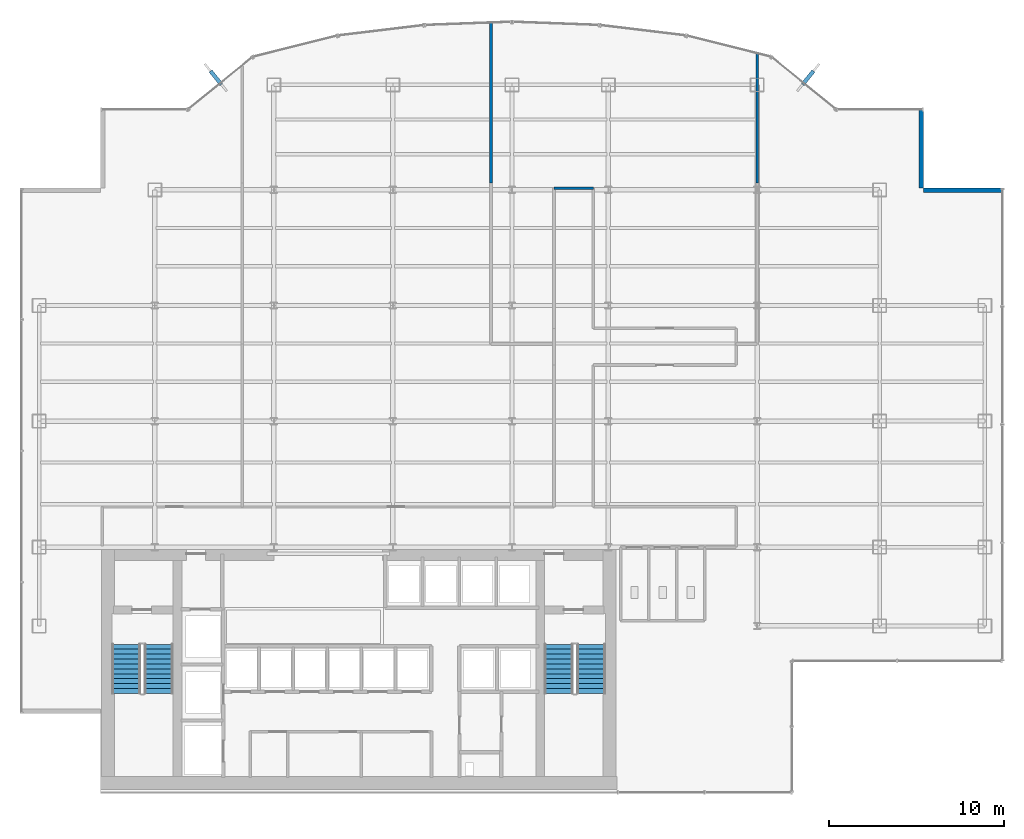
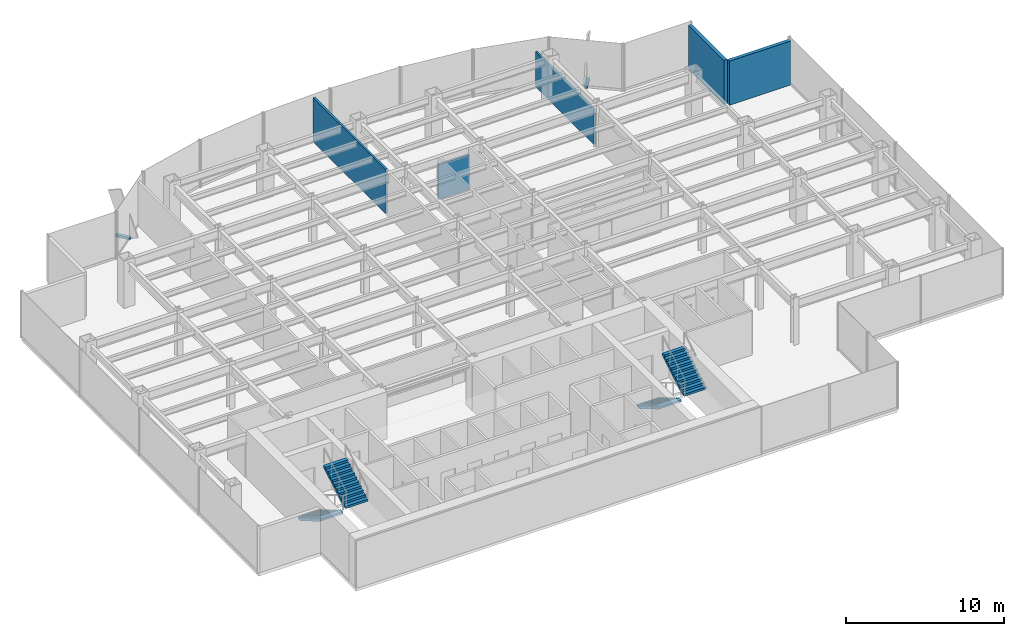
# One storey, part 23 of 26: 5 walls, 4 stair flights, 2 discrete accessories, 2 elements without a shape of their own.
"""IFC4 building model written with IfcOpenShell, lengths in metres."""

from ifc_helpers import new_model, si_unit, derived_unit, direction, frame, frame_2d, origin, origin_2d, place, context, subcontext, project, spatial, polyline, rectangle, outline, extrude, source, transform, mapped, material, layer, layer_set, type_object, element, aggregate, save


model = new_model("IFC4")

# Units and contexts
model_context = context("Model", 3, precision=1e-05, world=origin(), true_north=direction((0.0, 1.0)))
body_context = subcontext(model_context, "Body", "Model", "MODEL_VIEW")
ifc_project = project(units=[si_unit("LENGTHUNIT", "METRE"), si_unit("AREAUNIT", "SQUARE_METRE"), si_unit("VOLUMEUNIT", "CUBIC_METRE"), si_unit("PLANEANGLEUNIT", "RADIAN"), si_unit("MASSUNIT", "GRAM", prefix="KILO"), derived_unit("THERMALTRANSMITTANCEUNIT", [(si_unit("POWERUNIT", "WATT"), 1), (si_unit("LENGTHUNIT", "METRE"), -2), (si_unit("THERMODYNAMICTEMPERATUREUNIT", "KELVIN"), -1)])], contexts=[model_context])

# Site, building, storey
site_placement = place(None, origin())
site = spatial("IfcSite", under=ifc_project, at=site_placement, CompositionType="ELEMENT")
building_placement = place(site_placement, origin())
building = spatial("IfcBuilding", under=site, at=building_placement, Name="Skarnbrae Concourse Arena and Tower", CompositionType="ELEMENT")
storey_placement = place(building_placement, frame((0.0, 0.0, 99.60009765625)))
storey = spatial("IfcBuildingStorey", under=building, at=storey_placement, Name="L24", CompositionType="ELEMENT", Elevation=99.60009765625)

# Walls
ifc_material_1 = material(Name="Precast concrete 40 MPa (C40/50)", Category="concrete")
ifc_layer_1 = layer(ifc_material_1, 0.25)
ifc_layer_set_1 = layer_set([ifc_layer_1], Name="Precast concrete 40 MPa (C40/50)")
wall_type_1 = type_object("IfcWallType", Name="WALL-EXT-SPANDREL-250", PredefinedType="STANDARD", material=ifc_layer_set_1)
shared_shape_1 = source(origin(), body_context, "Body", "SweptSolid", [
    extrude(rectangle(XDim=4.5, YDim=0.25, at=frame_2d((2.25, 0.0))), origin(), (0.0, 0.0, 1.0), 3.39990234375),
])
for number, where, z_axis, x_axis, name in (
    (1, (56.0, 34.375, 0.0), (0.0, 0.0, 1.0), (-1.0, 0.0, 0.0), "L24 Notched corner insulated return wall 05"),
    (2, (51.375, 34.5, 0.0), (0.0, 0.0, 1.0), (0.0, 1.0, 0.0), "L24 Notched corner insulated return wall 06"),
):
    element("IfcWall", number, at=place(storey_placement, frame(where, z_axis=z_axis, x_axis=x_axis)), inside=storey, type_object=wall_type_1, Name=name, PredefinedType="STANDARD", context=body_context, shape_type="MappedRepresentation", body=[
        mapped(shared_shape_1, transform((0.0, 0.0, 0.0))),
    ])
ifc_material_2 = material(Name="Gypsum board on cold-formed steel studs", Category="steel")
ifc_layer_2 = layer(ifc_material_2, 0.14990234375)
ifc_layer_set_2 = layer_set([ifc_layer_2], Name="Gypsum board on cold-formed steel studs")
wall_type_2 = type_object("IfcWallType", Name="WALL-PART-150-1HR", PredefinedType="PARTITIONING", material=ifc_layer_set_2)
shared_shape_2 = source(origin(), body_context, "Body", "SweptSolid", [
    extrude(rectangle(XDim=2.25, YDim=0.14990234375, at=frame_2d((1.125, 0.0))), origin(), (0.0, 0.0, 1.0), 2.701904296875),
])
wall_1_placement = place(storey_placement, frame((30.39990234375, 34.5, 0.0), z_axis=(0.0, 0.0, 1.0), x_axis=(1.0, 0.0, 0.0)))
element("IfcWall", 3, at=wall_1_placement, inside=storey, type_object=wall_type_2, Name="L24 Interior partition wall W-L24-COR-06", PredefinedType="PARTITIONING", context=body_context, shape_type="MappedRepresentation", body=[
    mapped(shared_shape_2, transform((0.0, 0.0, 0.0))),
])
ifc_layer_3 = layer(ifc_material_2, 0.14990234375)
ifc_layer_set_3 = layer_set([ifc_layer_3], Name="Gypsum board on cold-formed steel studs")
wall_type_3 = type_object("IfcWallType", Name="WALL-PART-150", PredefinedType="PARTITIONING", material=ifc_layer_set_3)
shared_shape_3 = source(origin(), body_context, "Body", "SweptSolid", [
    extrude(rectangle(XDim=9.13525390625, YDim=0.14990234375, at=frame_2d((4.567626953125, 0.0))), origin(), (0.0, 0.0, 1.0), 3.39990234375),
])
wall_2_placement = place(storey_placement, frame((26.800048828125, 43.935302734375, 0.0), z_axis=(0.0, 0.0, 1.0), x_axis=(0.0, -1.0, 0.0)))
element("IfcWall", 4, at=wall_2_placement, inside=storey, type_object=wall_type_3, Name="L24 Interior partition wall W-L24-DEM-18", PredefinedType="PARTITIONING", context=body_context, shape_type="MappedRepresentation", body=[
    mapped(shared_shape_3, transform((0.0, 0.0, 0.0))),
])
shared_shape_4 = source(origin(), body_context, "Body", "SweptSolid", [
    extrude(rectangle(XDim=7.37890625, YDim=0.14990234375, at=frame_2d((3.689453125, 0.0))), origin(), (0.0, 0.0, 1.0), 2.701904296875),
])
wall_3_placement = place(storey_placement, frame((42.0, 42.178955078125, 0.0), z_axis=(0.0, 0.0, 1.0), x_axis=(0.0, -1.0, 0.0)))
element("IfcWall", 5, at=wall_3_placement, inside=storey, type_object=wall_type_3, Name="L24 Interior partition wall W-L24-DEM-21", PredefinedType="PARTITIONING", context=body_context, shape_type="MappedRepresentation", body=[
    mapped(shared_shape_4, transform((0.0, 0.0, 0.0))),
])

# Stair, stair flights
ifc_material_3 = material(Name="Concrete 40 MPa (C40/50)", Category="concrete")
stair_type = type_object("IfcStairType", Name="STAIR-DOGLEG-1650", PredefinedType="HALF_TURN_STAIR", material=ifc_material_3)
stair_1_placement = place(storey_placement, origin())
stair_1 = element("IfcStair", 6, at=stair_1_placement, inside=storey, type_object=stair_type, Name="L24 Protected Exit Stair ST-1", PredefinedType="HALF_TURN_STAIR")
stair_flight_type = type_object("IfcStairFlightType", Name="FLIGHT-STRAIGHT-1650", PredefinedType="STRAIGHT", material=ifc_material_3)
shared_shape_5 = source(origin(), body_context, "Body", "SweptSolid", [
    extrude(outline(polyline([(0.0, 0.0), (0.0, 0.166015625), (0.280029296875, 0.166015625), (0.280029296875, 0.331787109375), (0.56005859375, 0.331787109375), (0.56005859375, 0.497802734375), (0.840087890625, 0.497802734375), (0.840087890625, 0.66357421875), (1.1201171875, 0.66357421875), (1.1201171875, 0.82958984375), (1.39990234375, 0.82958984375), (1.39990234375, 0.995361328125), (1.679931640625, 0.995361328125), (1.679931640625, 1.161376953125), (1.9599609375, 1.161376953125), (1.9599609375, 1.327392578125), (2.239990234375, 1.327392578125), (2.239990234375, 1.4931640625), (2.52001953125, 1.4931640625), (2.52001953125, 1.6591796875), (2.800048828125, 1.6591796875), (2.800048828125, 1.824951171875), (2.800048828125, 1.48486328125), (0.2939453125, 0.0), (0.0, 0.0)])), frame((0.0, 0.824951171875, 0.0), z_axis=(0.0, -1.0, 0.0), x_axis=(1.0, 0.0, 0.0)), (0.0, 0.0, 1.0), 1.64990234375),
])
stair_flight_1_placement = place(storey_placement, frame((5.97509765625, 8.449951171875, 0.0), z_axis=(0.0, 0.0, 1.0), x_axis=(0.0, -1.0, 0.0)))
stair_flight_1 = element("IfcStairFlight", 7, at=stair_flight_1_placement, type_object=stair_flight_type, Name="ST-1 flight 1", NumberOfRisers=11, NumberOfTreads=10, PredefinedType="STRAIGHT", RiserHeight=0.165909091, TreadLength=0.28, context=body_context, shape_type="MappedRepresentation", body=[
    mapped(shared_shape_5, transform((0.0, 0.0, 0.0))),
])
stair_flight_2_placement = place(storey_placement, frame((7.824951171875, 5.64990234375, 1.824951171875), z_axis=(0.0, 0.0, 1.0), x_axis=(0.0, 1.0, 0.0)))
stair_flight_2 = element("IfcStairFlight", 8, at=stair_flight_2_placement, type_object=stair_flight_type, Name="ST-1 flight 2", NumberOfRisers=11, NumberOfTreads=10, PredefinedType="STRAIGHT", RiserHeight=0.165909091, TreadLength=0.28, context=body_context, shape_type="MappedRepresentation", body=[
    mapped(shared_shape_5, transform((0.0, 0.0, 0.0))),
])
aggregate(stair_1, [stair_flight_1, stair_flight_2])

stair_2_placement = place(storey_placement, origin())
stair_2 = element("IfcStair", 9, at=stair_2_placement, inside=storey, type_object=stair_type, Name="L24 Protected Exit Stair ST-2", PredefinedType="HALF_TURN_STAIR")
stair_flight_3_placement = place(storey_placement, frame((30.675048828125, 8.449951171875, 0.0), z_axis=(0.0, 0.0, 1.0), x_axis=(0.0, -1.0, 0.0)))
stair_flight_3 = element("IfcStairFlight", 10, at=stair_flight_3_placement, type_object=stair_flight_type, Name="ST-2 flight 1", NumberOfRisers=11, NumberOfTreads=10, PredefinedType="STRAIGHT", RiserHeight=0.165909091, TreadLength=0.28, context=body_context, shape_type="MappedRepresentation", body=[
    mapped(shared_shape_5, transform((0.0, 0.0, 0.0))),
])
stair_flight_4_placement = place(storey_placement, frame((32.52490234375, 5.64990234375, 1.824951171875), z_axis=(0.0, 0.0, 1.0), x_axis=(0.0, 1.0, 0.0)))
stair_flight_4 = element("IfcStairFlight", 11, at=stair_flight_4_placement, type_object=stair_flight_type, Name="ST-2 flight 2", NumberOfRisers=11, NumberOfTreads=10, PredefinedType="STRAIGHT", RiserHeight=0.165909091, TreadLength=0.28, context=body_context, shape_type="MappedRepresentation", body=[
    mapped(shared_shape_5, transform((0.0, 0.0, 0.0))),
])
aggregate(stair_2, [stair_flight_3, stair_flight_4])

# Discrete accessories
ifc_material_4 = material(Name="Bronze anodised aluminium 6063-T6", Category="aluminium")
discrete_accessory_type = type_object("IfcDiscreteAccessoryType", Name="ACC-FIN-BRACKET", PredefinedType="BRACKET", material=ifc_material_4)
shared_shape_6 = source(origin(), body_context, "Body", "SweptSolid", [
    extrude(rectangle(XDim=0.219970703125, YDim=0.97998046875, at=origin_2d()), origin(), (0.0, 0.0, 1.0), 0.179931640625),
])
for number, where, z_axis, x_axis, name in (
    (12, (44.90771484375, 40.80859375, -0.0302734375), (0.0, 0.0, 1.0), (0.776244501415, -0.630431974144, 0.0), "L24 Bronze fin foot support bracket 08"),
    (13, (11.09228515625, 40.80859375, -0.0302734375), (0.0, 0.0, 1.0), (0.776244501415, 0.630431974144, 0.0), "L24 Bronze fin foot support bracket 15"),
):
    element("IfcDiscreteAccessory", number, at=place(storey_placement, frame(where, z_axis=z_axis, x_axis=x_axis)), inside=storey, type_object=discrete_accessory_type, Name=name, PredefinedType="BRACKET", context=body_context, shape_type="MappedRepresentation", body=[
        mapped(shared_shape_6, transform((0.0, 0.0, 0.0))),
    ])

save(model, "model.ifc")
